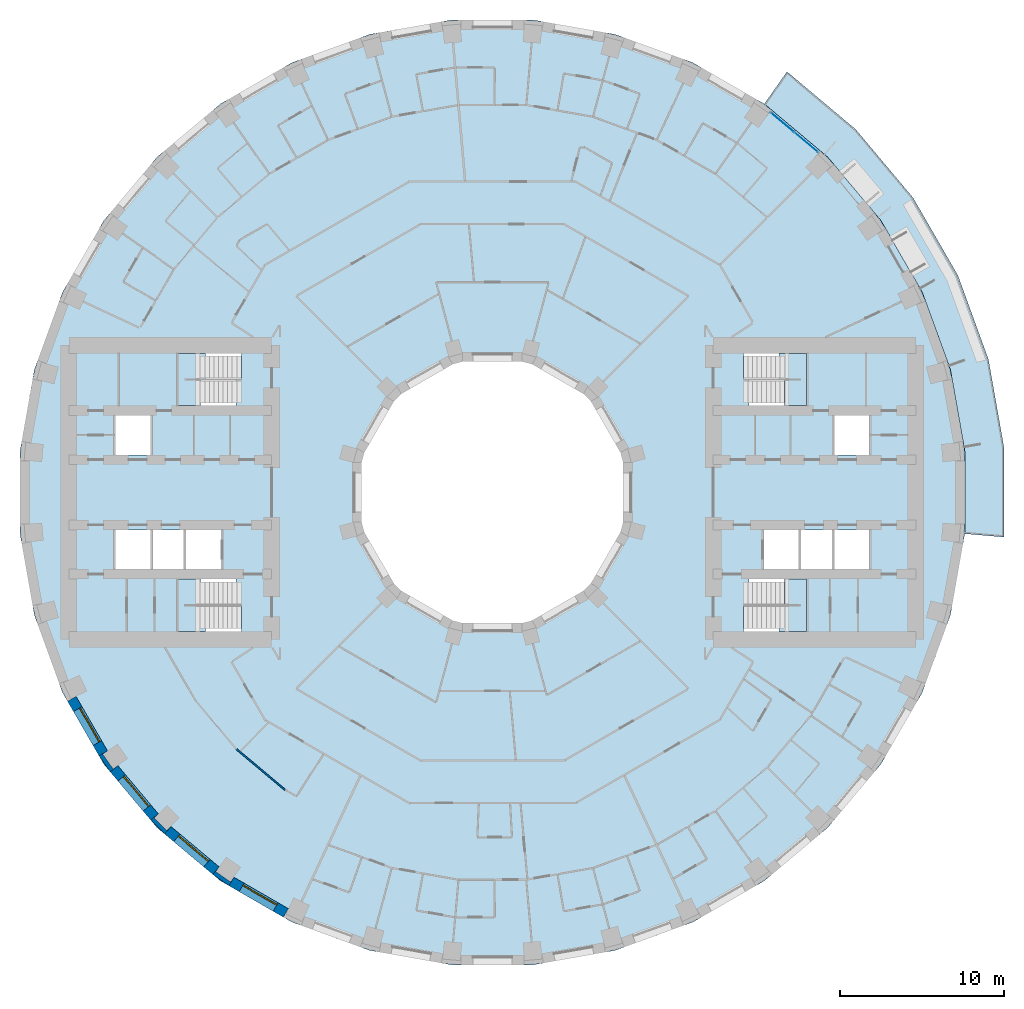
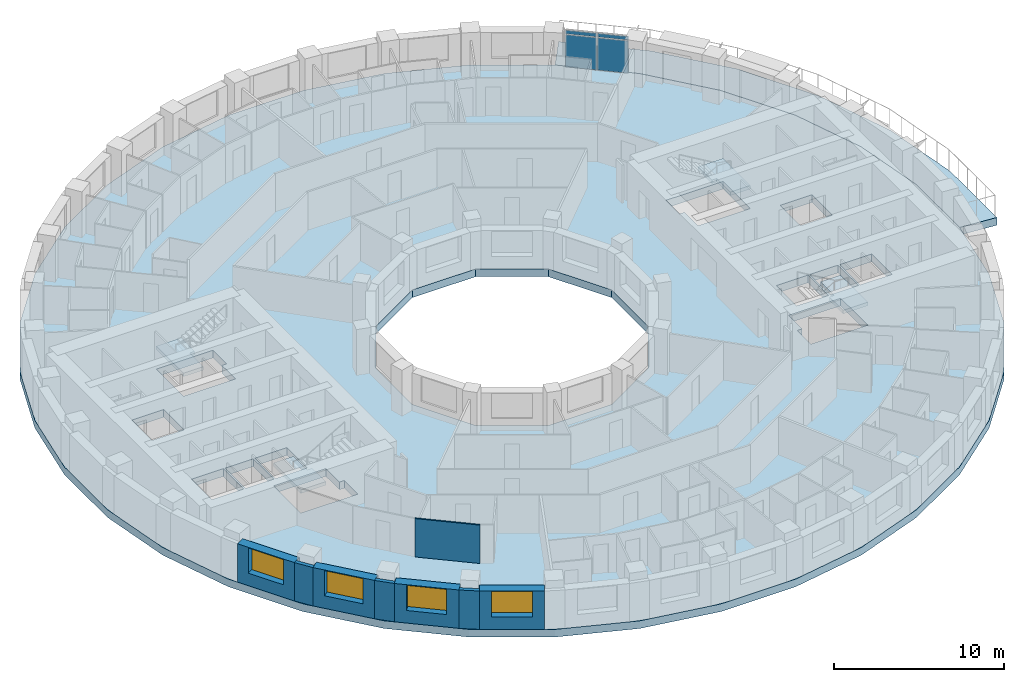
# One storey, part 3 of 15: 8 walls, 6 slabs, 4 plates, 4 windows, 4 openings, 5 elements without a shape of their own.
"""IFC4 building model written with IfcOpenShell, lengths in metres."""

import ifcopenshell
import ifcopenshell.guid

model = None  # the IFC model being written
_history = None  # IfcOwnerHistory: only IFC2X3 demands one
_inside = {}  # id of a spatial element -> (the spatial element, [elements in it])
_under = {}  # id of a project, library or spatial element -> (it, [spatial elements below it])
_declared = {}  # id of a project -> (the project, [libraries it declares])
_typed = {}  # id of a type object -> (the type object, [elements of that type])
_made_of = {}  # id of a material, layer set ... -> (it, [elements and type objects made of it])


def new_model(schema):
    """Start an empty IFC model of exactly this schema.

    Asked for "IFC4X3", IfcOpenShell would pick the latest addendum, in which some entities
    have other attributes; the version numbers below select the first issue.
    IFC2X3 requires an IfcOwnerHistory on every rooted entity: one is made here for all.
    """
    global model, _history
    if schema == "IFC4X3":
        model = ifcopenshell.file(schema_version=(4, 3, 0, 0))
    else:
        model = ifcopenshell.file(schema=schema)
    _inside.clear()
    _under.clear()
    _declared.clear()
    _typed.clear()
    _made_of.clear()
    _history = None
    if model.schema == "IFC2X3":
        org = make("IfcOrganization", Name="unknown")
        user = make(
            "IfcPersonAndOrganization",
            ThePerson=make("IfcPerson", FamilyName="unknown"),
            TheOrganization=org,
        )
        app = make(
            "IfcApplication",
            ApplicationDeveloper=org,
            Version="unknown",
            ApplicationFullName="unknown",
            ApplicationIdentifier="unknown",
        )
        _history = make(
            "IfcOwnerHistory",
            OwningUser=user,
            OwningApplication=app,
            ChangeAction="ADDED",
            CreationDate=0,
        )
    return model


def make(cls, **values):
    """One entity of the class cls with the attributes given. An attribute that is None is left unset."""
    return model.create_entity(
        cls, **{name: value for name, value in values.items() if value is not None}
    )


def rooted(cls, **values):
    """An entity with a GlobalId (a new one), such as an element, a storey or a relation."""
    return make(cls, GlobalId=ifcopenshell.guid.new(), OwnerHistory=_history, **values)


def si_unit(unit_type, name, prefix=None):
    """IfcSIUnit, for example si_unit("LENGTHUNIT", "METRE", prefix="MILLI")."""
    return make("IfcSIUnit", UnitType=unit_type, Prefix=prefix, Name=name)


def assignment(units):
    """IfcUnitAssignment: the units of a project."""
    return None if units is None else make("IfcUnitAssignment", Units=units)


def point(xyz):
    """IfcCartesianPoint."""
    return None if xyz is None else make("IfcCartesianPoint", Coordinates=xyz)


def direction(xyz):
    """IfcDirection."""
    return None if xyz is None else make("IfcDirection", DirectionRatios=xyz)


def frame(location, z_axis=None, x_axis=None):
    """IfcAxis2Placement3D, a coordinate frame: its origin and axes. An axis left out is left unset."""
    return make(
        "IfcAxis2Placement3D",
        Location=point(location),
        Axis=direction(z_axis),
        RefDirection=direction(x_axis),
    )


def frame_2d(location, x_axis=None):
    """IfcAxis2Placement2D, a coordinate frame in the plane: its origin and x axis."""
    return make(
        "IfcAxis2Placement2D", Location=point(location), RefDirection=direction(x_axis)
    )


def origin():
    """The frame at (0, 0, 0) with its axes left unset."""
    return frame((0.0, 0.0, 0.0))


def origin_2d():
    """The frame at (0, 0) in the plane with its x axis left unset."""
    return frame_2d((0.0, 0.0))


def place(relative_to, where):
    """IfcLocalPlacement: puts the frame where relative to a parent placement (None: the world)."""
    return make(
        "IfcLocalPlacement", PlacementRelTo=relative_to, RelativePlacement=where
    )


def context(
    kind, dimensions, precision=None, world=None, true_north=None, identifier=None
):
    """IfcGeometricRepresentationContext, for example the 3D "Model" context."""
    return make(
        "IfcGeometricRepresentationContext",
        ContextIdentifier=identifier,
        ContextType=kind,
        CoordinateSpaceDimension=dimensions,
        Precision=precision,
        WorldCoordinateSystem=world,
        TrueNorth=true_north,
    )


def subcontext(parent, identifier, kind, view, scale=None):
    """IfcGeometricRepresentationSubContext, for example "Body" below "Model"."""
    return make(
        "IfcGeometricRepresentationSubContext",
        ContextIdentifier=identifier,
        ContextType=kind,
        ParentContext=parent,
        TargetScale=scale,
        TargetView=view,
    )


def project(units=None, contexts=None):
    """IfcProject with its units and contexts."""
    return rooted(
        "IfcProject",
        Name="project",
        RepresentationContexts=contexts,
        UnitsInContext=assignment(units),
    )


def spatial(cls, under=None, at=None, **own):
    """A site, building, storey or space (cls), placed at a placement, below another one or the project."""
    s = rooted(cls, ObjectPlacement=at, **own)
    if under is not None:
        _under.setdefault(under.id(), (under, []))[1].append(s)
    return s


def polyline(points):
    """IfcPolyline through the points."""
    return make("IfcPolyline", Points=[point(p) for p in points])


def profile(cls, at=None, kind="AREA", **sizes):
    """A parametric profile (cls). Its sizes go by their IFC names, for example OverallWidth=200.0."""
    return make(cls, ProfileType=kind, Position=at, **sizes)


def rectangle(**sizes):
    """IfcRectangleProfileDef."""
    return profile("IfcRectangleProfileDef", **sizes)


def outline(outer, holes=None, kind="AREA"):
    """IfcArbitraryClosedProfileDef: a profile drawn as a closed curve; with holes, ...WithVoids."""
    if holes is None:
        return make("IfcArbitraryClosedProfileDef", ProfileType=kind, OuterCurve=outer)
    return make(
        "IfcArbitraryProfileDefWithVoids",
        ProfileType=kind,
        OuterCurve=outer,
        InnerCurves=holes,
    )


def extrude(swept, where, along, depth):
    """IfcExtrudedAreaSolid: the profile swept, set in the frame where, extruded along a direction by depth."""
    return make(
        "IfcExtrudedAreaSolid",
        SweptArea=swept,
        Position=where,
        ExtrudedDirection=direction(along),
        Depth=depth,
    )


def shape(context_of_items, identifier, shape_type, items):
    """IfcShapeRepresentation: the items that make up one representation, for example the "Body"."""
    return make(
        "IfcShapeRepresentation",
        ContextOfItems=context_of_items,
        RepresentationIdentifier=identifier,
        RepresentationType=shape_type,
        Items=items,
    )


def material(Name=None, Category=None):
    """IfcMaterial."""
    return make("IfcMaterial", Name=Name, Category=Category)


def layer(
    of_material, thickness, ventilated=None, Name=None, Category=None, Priority=None
):
    """IfcMaterialLayer: one layer of a wall or slab, of a material (None: an air gap)."""
    return make(
        "IfcMaterialLayer",
        Material=of_material,
        LayerThickness=thickness,
        IsVentilated=ventilated,
        Name=Name,
        Category=Category,
        Priority=Priority,
    )


def layer_set(layers, Name=None):
    """IfcMaterialLayerSet."""
    return make("IfcMaterialLayerSet", MaterialLayers=layers, LayerSetName=Name)


def made_of(thing, what):
    """Note that an element or type object is made of a material, layer set ...; save() writes the relation."""
    if what is not None:
        _made_of.setdefault(what.id(), (what, []))[1].append(thing)
    return thing


def type_object(cls, material=None, **own):
    """A type object (cls), such as IfcWallType, which elements share."""
    return made_of(rooted(cls, **own), material)


def element(
    cls,
    number,
    at=None,
    inside=None,
    cuts=None,
    type_object=None,
    material=None,
    context=None,
    identifier="Body",
    shape_type=None,
    held_by="IfcProductDefinitionShape",
    body=None,
    shapes=None,
    **own,
):
    """One element of the class cls, such as IfcWall. Its Tag is "e" and its number.

    at: its placement. inside: the storey or other place that contains it. cuts: it is an
    opening in that element (IfcRelVoidsElement). A single representation is given by context,
    identifier, shape_type and body (its items); several are given by shapes. held_by: the class
    of the entity that holds the representations. save() writes the other relations.
    """
    e = rooted(cls, Tag="e%d" % number, ObjectPlacement=at, **own)
    if body is not None:
        shapes = [shape(context, identifier, shape_type, body)]
    if shapes is not None:
        e.Representation = make(held_by, Representations=shapes)
    if inside is not None:
        _inside.setdefault(inside.id(), (inside, []))[1].append(e)
    if cuts is not None:
        rooted(
            "IfcRelVoidsElement", RelatingBuildingElement=cuts, RelatedOpeningElement=e
        )
    if type_object is not None:
        _typed.setdefault(type_object.id(), (type_object, []))[1].append(e)
    return made_of(e, material)


def fill(opening, filler):
    """IfcRelFillsElement: the door or window that sits in an opening."""
    return rooted(
        "IfcRelFillsElement",
        RelatingOpeningElement=opening,
        RelatedBuildingElement=filler,
    )


def aggregate(whole, parts):
    """IfcRelAggregates: a whole, such as a stair, and the parts it consists of."""
    return rooted("IfcRelAggregates", RelatingObject=whole, RelatedObjects=parts)


def save(model, path):
    """Write the relations noted so far, then the file.

    IfcRelAggregates (storeys below a building ...), IfcRelContainedInSpatialStructure (elements
    in a storey), IfcRelDefinesByType, IfcRelAssociatesMaterial and IfcRelDeclares: one each for
    every whole, place, type object, material and project.
    """
    for whole, parts in _under.values():
        aggregate(whole, parts)
    for where, things in _inside.values():
        rooted(
            "IfcRelContainedInSpatialStructure",
            RelatedElements=things,
            RelatingStructure=where,
        )
    for kind, things in _typed.values():
        rooted("IfcRelDefinesByType", RelatedObjects=things, RelatingType=kind)
    for what, things in _made_of.values():
        rooted("IfcRelAssociatesMaterial", RelatedObjects=things, RelatingMaterial=what)
    for by, libraries in _declared.values():
        rooted("IfcRelDeclares", RelatingContext=by, RelatedDefinitions=libraries)
    model.write(path)


model = new_model("IFC4")

# Units and contexts
model_context = context("Model", 3, precision=1e-05, world=origin(), true_north=direction((0.0, 1.0)))
body_context = subcontext(model_context, "Body", "Model", "MODEL_VIEW")
ifc_project = project(units=[si_unit("LENGTHUNIT", "METRE"), si_unit("AREAUNIT", "SQUARE_METRE"), si_unit("VOLUMEUNIT", "CUBIC_METRE"), si_unit("PLANEANGLEUNIT", "RADIAN"), si_unit("MASSUNIT", "GRAM", prefix="KILO")], contexts=[model_context])

# Site, building, storey
site_placement = place(None, origin())
site = spatial("IfcSite", under=ifc_project, at=site_placement, CompositionType="ELEMENT")
building_placement = place(site_placement, origin())
building = spatial("IfcBuilding", under=site, at=building_placement, Name="Saqina Gate Tower", CompositionType="ELEMENT")
storey_placement = place(building_placement, frame((0.0, 0.0, 56.0)))
storey = spatial("IfcBuildingStorey", under=building, at=storey_placement, Name="L15", CompositionType="ELEMENT", Elevation=56.0)

# Curtain wall, plates
ifc_material_1 = material(Name="Aluminium glazing", Category="aluminium")
ifc_layer_1 = layer(ifc_material_1, 0.159912109375)
ifc_layer_set_1 = layer_set([ifc_layer_1], Name="CWT-4")
curtain_wall_type = type_object("IfcCurtainWallType", Name="CWT-4", PredefinedType="NOTDEFINED", material=ifc_layer_set_1)
curtain_wall_placement = place(storey_placement, origin())
curtain_wall = element("IfcCurtainWall", 1, at=curtain_wall_placement, inside=storey, type_object=curtain_wall_type, Name="Terrace lounge glazing facet 5", PredefinedType="NOTDEFINED")
ifc_material_2 = material(Name="Glass", Category="glass")
ifc_layer_2 = layer(ifc_material_2, 0.028076171875)
ifc_layer_set_2 = layer_set([ifc_layer_2], Name="CWT-4P")
plate_type = type_object("IfcPlateType", Name="CWT-4P", PredefinedType="CURTAIN_PANEL", material=ifc_layer_set_2)
plate_1_placement = place(storey_placement, frame((19.198486328125, 21.407470703125, 0.06005859375), z_axis=(0.0, 0.0, 1.0), x_axis=(-0.766040784332, 0.642791970033, 0.0)))
plate_1 = element("IfcPlate", 2, at=plate_1_placement, type_object=plate_type, Name="CW4-05 panel 1.1", PredefinedType="CURTAIN_PANEL", context=body_context, shape_type="SweptSolid", body=[
    extrude(rectangle(XDim=1.8330078125, YDim=0.028076171875, at=origin_2d()), origin(), (0.0, 0.0, 1.0), 2.31005859375),
])
plate_2_placement = place(storey_placement, frame((19.198486328125, 21.407470703125, 2.43017578125), z_axis=(0.0, 0.0, 1.0), x_axis=(-0.766040784332, 0.642791970033, 0.0)))
plate_2 = element("IfcPlate", 3, at=plate_2_placement, type_object=plate_type, Name="CW4-05 panel 1.2", PredefinedType="CURTAIN_PANEL", context=body_context, shape_type="SweptSolid", body=[
    extrude(rectangle(XDim=1.8330078125, YDim=0.028076171875, at=origin_2d()), origin(), (0.0, 0.0, 1.0), 0.260009765625),
])
plate_3_placement = place(storey_placement, frame((17.74853515625, 22.624267578125, 0.06005859375), z_axis=(0.0, 0.0, 1.0), x_axis=(-0.766040784332, 0.642791970033, 0.0)))
plate_3 = element("IfcPlate", 4, at=plate_3_placement, type_object=plate_type, Name="CW4-05 panel 2.1", PredefinedType="CURTAIN_PANEL", context=body_context, shape_type="SweptSolid", body=[
    extrude(rectangle(XDim=1.8330078125, YDim=0.028076171875, at=origin_2d()), origin(), (0.0, 0.0, 1.0), 2.31005859375),
])
plate_4_placement = place(storey_placement, frame((17.74853515625, 22.624267578125, 2.43017578125), z_axis=(0.0, 0.0, 1.0), x_axis=(-0.766040784332, 0.642791970033, 0.0)))
plate_4 = element("IfcPlate", 5, at=plate_4_placement, type_object=plate_type, Name="CW4-05 panel 2.2", PredefinedType="CURTAIN_PANEL", context=body_context, shape_type="SweptSolid", body=[
    extrude(rectangle(XDim=1.8330078125, YDim=0.028076171875, at=origin_2d()), origin(), (0.0, 0.0, 1.0), 0.260009765625),
])
aggregate(curtain_wall, [plate_1, plate_2, plate_3, plate_4])

# Stair, slab
ifc_material_3 = material(Name="Concrete C40/50", Category="concrete")
stair_type = type_object("IfcStairType", Name="EXIT STAIR", PredefinedType="HALF_TURN_STAIR", material=ifc_material_3)
stair_1_placement = place(storey_placement, origin())
stair_1 = element("IfcStair", 6, at=stair_1_placement, inside=storey, type_object=stair_type, Name="EXIT STAIR 1", PredefinedType="HALF_TURN_STAIR")
ifc_material_4 = material(Name="Concrete C40/50", Category="concrete")
ifc_layer_3 = layer(ifc_material_4, 0.25)
ifc_layer_set_3 = layer_set([ifc_layer_3], Name="Concrete C40/50")
slab_type_1 = type_object("IfcSlabType", Name="EXIT STAIR LANDING", PredefinedType="LANDING", material=ifc_layer_set_3)
slab_1_placement = place(storey_placement, frame((0.0, 0.0, 1.39990234375)))
slab_1 = element("IfcSlab", 7, at=slab_1_placement, type_object=slab_type_1, Name="EXIT STAIR 1 LANDING 1", PredefinedType="LANDING", context=body_context, shape_type="SweptSolid", body=[
    extrude(outline(polyline([(19.219970703125, 8.5), (19.219970703125, 5.300048828125), (17.864990234375, 5.300048828125), (17.864990234375, 6.89990234375), (17.534423828125, 6.89990234375), (17.534423828125, 8.5), (17.864990234375, 8.5), (17.8701171875, 8.5), (19.219970703125, 8.5)])), origin(), (0.0, 0.0, 1.0), 0.25),
])
aggregate(stair_1, [slab_1])

stair_2_placement = place(storey_placement, origin())
stair_2 = element("IfcStair", 8, at=stair_2_placement, inside=storey, type_object=stair_type, Name="EXIT STAIR 2", PredefinedType="HALF_TURN_STAIR")
slab_2_placement = place(storey_placement, frame((0.0, 0.0, 1.39990234375)))
slab_2 = element("IfcSlab", 9, at=slab_2_placement, type_object=slab_type_1, Name="EXIT STAIR 2 LANDING 1", PredefinedType="LANDING", context=body_context, shape_type="SweptSolid", body=[
    extrude(outline(polyline([(17.534423828125, -8.5), (17.534423828125, -6.89990234375), (17.864990234375, -6.89990234375), (17.864990234375, -5.300048828125), (19.219970703125, -5.300048828125), (19.219970703125, -8.5), (17.8701171875, -8.5), (17.864990234375, -8.5), (17.534423828125, -8.5)])), origin(), (0.0, 0.0, 1.0), 0.25),
])
aggregate(stair_2, [slab_2])

stair_3_placement = place(storey_placement, origin())
stair_3 = element("IfcStair", 10, at=stair_3_placement, inside=storey, type_object=stair_type, Name="EXIT STAIR 3", PredefinedType="HALF_TURN_STAIR")
slab_3_placement = place(storey_placement, frame((0.0, 0.0, 1.39990234375)))
slab_3 = element("IfcSlab", 11, at=slab_3_placement, type_object=slab_type_1, Name="EXIT STAIR 3 LANDING 1", PredefinedType="LANDING", context=body_context, shape_type="SweptSolid", body=[
    extrude(outline(polyline([(-17.864990234375, 5.300048828125), (-19.219970703125, 5.300048828125), (-19.219970703125, 8.5), (-17.8701171875, 8.5), (-17.864990234375, 8.5), (-17.534423828125, 8.5), (-17.534423828125, 6.89990234375), (-17.864990234375, 6.89990234375), (-17.864990234375, 5.300048828125)])), origin(), (0.0, 0.0, 1.0), 0.25),
])
aggregate(stair_3, [slab_3])

stair_4_placement = place(storey_placement, origin())
stair_4 = element("IfcStair", 12, at=stair_4_placement, inside=storey, type_object=stair_type, Name="EXIT STAIR 4", PredefinedType="HALF_TURN_STAIR")
slab_4_placement = place(storey_placement, frame((0.0, 0.0, 1.39990234375)))
slab_4 = element("IfcSlab", 13, at=slab_4_placement, type_object=slab_type_1, Name="EXIT STAIR 4 LANDING 1", PredefinedType="LANDING", context=body_context, shape_type="SweptSolid", body=[
    extrude(outline(polyline([(-17.534423828125, -6.89990234375), (-17.534423828125, -8.5), (-17.864990234375, -8.5), (-17.8701171875, -8.5), (-19.219970703125, -8.5), (-19.219970703125, -5.300048828125), (-17.864990234375, -5.300048828125), (-17.864990234375, -6.89990234375), (-17.534423828125, -6.89990234375)])), origin(), (0.0, 0.0, 1.0), 0.25),
])
aggregate(stair_4, [slab_4])

# Slabs
ifc_material_5 = material(Name="Concrete C40/50", Category="concrete")
ifc_layer_4 = layer(ifc_material_5, 0.550048828125)
ifc_layer_set_4 = layer_set([ifc_layer_4], Name="Concrete C40/50")
slab_type_2 = type_object("IfcSlabType", Name="STR-POST-TENSIONED FLAT PLATE FLOOR-550", PredefinedType="FLOOR", material=ifc_layer_set_4)
slab_5_placement = place(storey_placement, frame((0.0, 0.0, -0.550048828125)))
element("IfcSlab", 14, at=slab_5_placement, inside=storey, type_object=slab_type_2, Name="L15-SLB01", PredefinedType="FLOOR", context=body_context, shape_type="SweptSolid", body=[
    extrude(outline(polyline([(28.011962890625, -7.505859375), (28.8896484375, -2.527587890625), (28.8896484375, 2.527587890625), (28.011962890625, 7.505859375), (26.282958984375, 12.255859375), (23.75537109375, 16.6337890625), (20.506103515625, 20.506103515625), (16.6337890625, 23.75537109375), (12.255859375, 26.282958984375), (7.505859375, 28.011962890625), (2.527587890625, 28.8896484375), (-2.527587890625, 28.8896484375), (-7.505859375, 28.011962890625), (-12.255859375, 26.282958984375), (-16.6337890625, 23.75537109375), (-20.506103515625, 20.506103515625), (-23.75537109375, 16.6337890625), (-26.282958984375, 12.255859375), (-28.011962890625, 7.505859375), (-28.8896484375, 2.527587890625), (-28.8896484375, -2.527587890625), (-28.011962890625, -7.505859375), (-26.282958984375, -12.255859375), (-23.75537109375, -16.6337890625), (-20.506103515625, -20.506103515625), (-16.6337890625, -23.75537109375), (-12.255859375, -26.282958984375), (-7.505859375, -28.011962890625), (-2.527587890625, -28.8896484375), (2.527587890625, -28.8896484375), (7.505859375, -28.011962890625), (12.255859375, -26.282958984375), (16.6337890625, -23.75537109375), (20.506103515625, -20.506103515625), (23.75537109375, -16.6337890625), (26.282958984375, -12.255859375), (28.011962890625, -7.505859375)]), holes=[polyline([(2.1435546875, 8.0), (5.8564453125, 5.8564453125), (8.0, 2.1435546875), (8.0, -2.1435546875), (5.8564453125, -5.8564453125), (2.1435546875, -8.0), (-2.1435546875, -8.0), (-5.8564453125, -5.8564453125), (-8.0, -2.1435546875), (-8.0, 2.1435546875), (-5.8564453125, 5.8564453125), (-2.1435546875, 8.0), (2.1435546875, 8.0)]), polyline([(-19.219970703125, -8.5), (-19.219970703125, -6.89990234375), (-19.219970703125, -5.300048828125), (-15.685546875, -5.300048828125), (-15.685546875, -6.89990234375), (-15.35498046875, -6.89990234375), (-15.35498046875, -8.5), (-19.219970703125, -8.5)]), polyline([(-20.89990234375, -2.300048828125), (-20.89990234375, -4.699951171875), (-23.06005859375, -4.699951171875), (-23.06005859375, -2.300048828125), (-20.89990234375, -2.300048828125)]), polyline([(-18.8701171875, -2.300048828125), (-18.8701171875, -4.699951171875), (-20.780029296875, -4.699951171875), (-20.780029296875, -2.300048828125), (-18.8701171875, -2.300048828125)]), polyline([(-16.590087890625, -2.300048828125), (-16.590087890625, -4.699951171875), (-18.75, -4.699951171875), (-18.75, -2.300048828125), (-16.590087890625, -2.300048828125)]), polyline([(-20.89990234375, 4.699951171875), (-20.89990234375, 2.300048828125), (-23.06005859375, 2.300048828125), (-23.06005859375, 4.699951171875), (-20.89990234375, 4.699951171875)]), polyline([(-19.219970703125, 6.89990234375), (-19.219970703125, 8.5), (-15.35498046875, 8.5), (-15.35498046875, 6.89990234375), (-15.685546875, 6.89990234375), (-15.685546875, 5.300048828125), (-19.219970703125, 5.300048828125), (-19.219970703125, 6.89990234375)]), polyline([(15.35498046875, -6.89990234375), (15.685546875, -6.89990234375), (15.685546875, -5.300048828125), (19.219970703125, -5.300048828125), (19.219970703125, -6.89990234375), (19.219970703125, -8.5), (15.35498046875, -8.5), (15.35498046875, -6.89990234375)]), polyline([(18.75, -2.300048828125), (18.75, -4.699951171875), (16.590087890625, -4.699951171875), (16.590087890625, -2.300048828125), (18.75, -2.300048828125)]), polyline([(20.780029296875, -2.300048828125), (20.780029296875, -4.699951171875), (18.8701171875, -4.699951171875), (18.8701171875, -2.300048828125), (20.780029296875, -2.300048828125)]), polyline([(23.06005859375, -2.300048828125), (23.06005859375, -4.699951171875), (20.89990234375, -4.699951171875), (20.89990234375, -2.300048828125), (23.06005859375, -2.300048828125)]), polyline([(23.06005859375, 4.699951171875), (23.06005859375, 2.300048828125), (20.89990234375, 2.300048828125), (20.89990234375, 4.699951171875), (23.06005859375, 4.699951171875)]), polyline([(15.685546875, 6.89990234375), (15.35498046875, 6.89990234375), (15.35498046875, 8.5), (19.219970703125, 8.5), (19.219970703125, 6.89990234375), (19.219970703125, 5.300048828125), (15.685546875, 5.300048828125), (15.685546875, 6.89990234375)])]), origin(), (0.0, 0.0, 1.0), 0.550048828125),
])
ifc_material_6 = material(Name="Concrete C40/50", Category="concrete")
ifc_layer_5 = layer(ifc_material_6, 0.550048828125)
ifc_layer_set_5 = layer_set([ifc_layer_5], Name="Concrete C40/50")
slab_type_3 = type_object("IfcSlabType", Name="STR-POST-TENSIONED FLAT PLATE TERRACE-550", PredefinedType="FLOOR", material=ifc_layer_set_5)
slab_6_placement = place(storey_placement, frame((0.0, 0.0, -0.550048828125)))
element("IfcSlab", 15, at=slab_6_placement, inside=storey, type_object=slab_type_3, Name="L15-TRS01", PredefinedType="FLOOR", context=body_context, shape_type="SweptSolid", body=[
    extrude(outline(polyline([(28.8896484375, -2.527587890625), (28.8896484375, 2.527587890625), (28.011962890625, 7.505859375), (26.282958984375, 12.255859375), (23.75537109375, 16.6337890625), (20.506103515625, 20.506103515625), (16.6337890625, 23.75537109375), (18.015625, 25.72900390625), (22.209716796875, 22.209716796875), (25.72900390625, 18.015625), (28.46630859375, 13.274169921875), (30.3388671875, 8.12939453125), (31.28955078125, 2.737548828125), (31.28955078125, -2.737548828125), (28.8896484375, -2.527587890625)])), origin(), (0.0, 0.0, 1.0), 0.550048828125),
])

# Walls
ifc_material_7 = material(Name="Brick masonry (red)", Category="masonry")
wall_type_1 = type_object("IfcWallType", Name="BRICK PIER COPING RED", PredefinedType="SOLIDWALL", material=ifc_material_7)
wall_1_placement = place(storey_placement, origin())
element("IfcWall", 16, at=wall_1_placement, inside=storey, type_object=wall_type_1, Name="Pier cap L15 column 22", PredefinedType="SOLIDWALL", context=body_context, shape_type="SweptSolid", body=[
    extrude(outline(polyline([(-24.0576171875, -16.110107421875), (-23.36669921875, -17.096923828125), (-22.9072265625, -16.711181640625), (-23.194091796875, -16.912109375), (-23.8251953125, -16.010986328125), (-23.5380859375, -15.81005859375), (-24.0576171875, -16.110107421875)])), origin(), (0.0, 0.0, 1.0), 2.75),
])
wall_2_placement = place(storey_placement, origin())
element("IfcWall", 17, at=wall_2_placement, inside=storey, type_object=wall_type_1, Name="Pier cap L15 column 23", PredefinedType="SOLIDWALL", context=body_context, shape_type="SweptSolid", body=[
    extrude(outline(polyline([(-20.04296875, -20.894775390625), (-19.6572265625, -20.43505859375), (-19.905029296875, -20.682861328125), (-20.682861328125, -19.905029296875), (-20.43505859375, -19.6572265625), (-20.894775390625, -20.04296875), (-20.04296875, -20.894775390625)])), origin(), (0.0, 0.0, 1.0), 2.75),
])
wall_3_placement = place(storey_placement, origin())
element("IfcWall", 18, at=wall_3_placement, inside=storey, type_object=wall_type_1, Name="Pier cap L15 column 24", PredefinedType="SOLIDWALL", context=body_context, shape_type="SweptSolid", body=[
    extrude(outline(polyline([(-17.096923828125, -23.36669921875), (-16.110107421875, -24.0576171875), (-15.81005859375, -23.5380859375), (-16.010986328125, -23.8251953125), (-16.912109375, -23.194091796875), (-16.711181640625, -22.9072265625), (-17.096923828125, -23.36669921875)])), origin(), (0.0, 0.0, 1.0), 2.75),
])

# Wall, opening, window
ifc_material_8 = material(Name="Brick masonry (red)", Category="masonry")
ifc_layer_6 = layer(ifc_material_8, 0.60009765625)
ifc_layer_set_6 = layer_set([ifc_layer_6], Name="FW-BRICK-RED")
wall_type_2 = type_object("IfcWallType", Name="FW-BRICK-RED", PredefinedType="SOLIDWALL", material=ifc_layer_set_6)
wall_4_placement = place(storey_placement, frame((-25.720703125, -12.629638671875, 0.0), z_axis=(0.0, 0.0, 1.0), x_axis=(0.499989888488, -0.86603124159, 0.0)))
wall_4 = element("IfcWall", 19, at=wall_4_placement, inside=storey, type_object=wall_type_2, Name="Facade wall L15 facet 21", PredefinedType="SOLIDWALL", context=body_context, shape_type="SweptSolid", body=[
    extrude(rectangle(XDim=3.845703125, YDim=0.60009765625, at=frame_2d((1.9228515625, 0.0))), origin(), (0.0, 0.0, 1.0), 2.75),
])
opening_1_placement = place(wall_4_placement, frame((0.722900390625, 0.0, 0.89990234375)))
opening_1 = element("IfcOpeningElement", 20, at=opening_1_placement, cuts=wall_4, Name="Opening G04-W11", PredefinedType="OPENING", context=body_context, shape_type="SweptSolid", body=[
    extrude(rectangle(XDim=2.39990234375, YDim=1.800048828125, at=frame_2d((1.199951171875, 0.89990234375))), frame((0.0, 0.31201171875, 0.0), z_axis=(0.0, -1.0, 0.0), x_axis=(1.0, 0.0, 0.0)), (0.0, 0.0, 1.0), 0.6240234375),
])
ifc_material_9 = material(Name="Aluminium glazing", Category="aluminium")
window_type = type_object("IfcWindowType", Name="WN-A", PartitioningType="SINGLE_PANEL", PredefinedType="WINDOW", material=ifc_material_9)
window_1_placement = place(opening_1_placement, origin())
window_1 = element("IfcWindow", 21, at=window_1_placement, inside=storey, type_object=window_type, Name="Window L15 facet 21", OverallHeight=1.800048828125, OverallWidth=2.39990234375, PartitioningType="SINGLE_PANEL", PredefinedType="WINDOW", context=body_context, shape_type="SweptSolid", body=[
    extrude(rectangle(XDim=2.39990234375, YDim=1.800048828125, at=frame_2d((1.199951171875, 0.89990234375))), frame((0.0, 0.179931640625, 0.0), z_axis=(0.0, -1.0, 0.0), x_axis=(1.0, 0.0, 0.0)), (0.0, 0.0, 1.0), 0.06005859375),
])
fill(opening_1, window_1)

wall_5_placement = place(storey_placement, frame((-23.136962890625, -16.904052734375, 0.0), z_axis=(0.0, 0.0, 1.0), x_axis=(0.642809392687, -0.766026164483, 0.0)))
wall_5 = element("IfcWall", 22, at=wall_5_placement, inside=storey, type_object=wall_type_2, Name="Facade wall L15 facet 22", PredefinedType="SOLIDWALL", context=body_context, shape_type="SweptSolid", body=[
    extrude(rectangle(XDim=3.845947265625, YDim=0.60009765625, at=frame_2d((1.9228515625, 0.0))), origin(), (0.0, 0.0, 1.0), 2.75),
])
opening_2_placement = place(wall_5_placement, frame((0.722900390625, 0.0, 0.89990234375)))
opening_2 = element("IfcOpeningElement", 23, at=opening_2_placement, cuts=wall_5, Name="Opening G04-W12", PredefinedType="OPENING", context=body_context, shape_type="SweptSolid", body=[
    extrude(rectangle(XDim=2.39990234375, YDim=1.800048828125, at=frame_2d((1.199951171875, 0.89990234375))), frame((0.0, 0.31201171875, 0.0), z_axis=(0.0, -1.0, 0.0), x_axis=(1.0, 0.0, 0.0)), (0.0, 0.0, 1.0), 0.6240234375),
])
window_2_placement = place(opening_2_placement, origin())
window_2 = element("IfcWindow", 24, at=window_2_placement, inside=storey, type_object=window_type, Name="Window L15 facet 22", OverallHeight=1.800048828125, OverallWidth=2.39990234375, PartitioningType="SINGLE_PANEL", PredefinedType="WINDOW", context=body_context, shape_type="SweptSolid", body=[
    extrude(rectangle(XDim=2.39990234375, YDim=1.800048828125, at=frame_2d((1.199951171875, 0.89990234375))), frame((0.0, 0.179931640625, 0.0), z_axis=(0.0, -1.0, 0.0), x_axis=(1.0, 0.0, 0.0)), (0.0, 0.0, 1.0), 0.06005859375),
])
fill(opening_2, window_2)

wall_6_placement = place(storey_placement, frame((-19.85009765625, -20.664794921875, 0.0), z_axis=(0.0, 0.0, 1.0), x_axis=(0.766026164483, -0.642809392687, 0.0)))
wall_6 = element("IfcWall", 25, at=wall_6_placement, inside=storey, type_object=wall_type_2, Name="Facade wall L15 facet 23", PredefinedType="SOLIDWALL", context=body_context, shape_type="SweptSolid", body=[
    extrude(rectangle(XDim=3.845947265625, YDim=0.60009765625, at=frame_2d((1.9228515625, 0.0))), origin(), (0.0, 0.0, 1.0), 2.75),
])
opening_3_placement = place(wall_6_placement, frame((0.722900390625, 0.0, 0.89990234375)))
opening_3 = element("IfcOpeningElement", 26, at=opening_3_placement, cuts=wall_6, Name="Opening G04-W13", PredefinedType="OPENING", context=body_context, shape_type="SweptSolid", body=[
    extrude(rectangle(XDim=2.39990234375, YDim=1.800048828125, at=frame_2d((1.199951171875, 0.89990234375))), frame((0.0, 0.31201171875, 0.0), z_axis=(0.0, -1.0, 0.0), x_axis=(1.0, 0.0, 0.0)), (0.0, 0.0, 1.0), 0.6240234375),
])
window_3_placement = place(opening_3_placement, origin())
window_3 = element("IfcWindow", 27, at=window_3_placement, inside=storey, type_object=window_type, Name="Window L15 facet 23", OverallHeight=1.800048828125, OverallWidth=2.39990234375, PartitioningType="SINGLE_PANEL", PredefinedType="WINDOW", context=body_context, shape_type="SweptSolid", body=[
    extrude(rectangle(XDim=2.39990234375, YDim=1.800048828125, at=frame_2d((1.199951171875, 0.89990234375))), frame((0.0, 0.179931640625, 0.0), z_axis=(0.0, -1.0, 0.0), x_axis=(1.0, 0.0, 0.0)), (0.0, 0.0, 1.0), 0.06005859375),
])
fill(opening_3, window_3)

wall_7_placement = place(storey_placement, frame((-15.960205078125, -23.7978515625, 0.0), z_axis=(0.0, 0.0, 1.0), x_axis=(0.86603124159, -0.499989888488, 0.0)))
wall_7 = element("IfcWall", 28, at=wall_7_placement, inside=storey, type_object=wall_type_2, Name="Facade wall L15 facet 24", PredefinedType="SOLIDWALL", context=body_context, shape_type="SweptSolid", body=[
    extrude(rectangle(XDim=3.845703125, YDim=0.60009765625, at=frame_2d((1.9228515625, 0.0))), origin(), (0.0, 0.0, 1.0), 2.75),
])
opening_4_placement = place(wall_7_placement, frame((0.722900390625, 0.0, 0.89990234375)))
opening_4 = element("IfcOpeningElement", 29, at=opening_4_placement, cuts=wall_7, Name="Opening G04-W14", PredefinedType="OPENING", context=body_context, shape_type="SweptSolid", body=[
    extrude(rectangle(XDim=2.39990234375, YDim=1.800048828125, at=frame_2d((1.199951171875, 0.89990234375))), frame((0.0, 0.31201171875, 0.0), z_axis=(0.0, -1.0, 0.0), x_axis=(1.0, 0.0, 0.0)), (0.0, 0.0, 1.0), 0.6240234375),
])
window_4_placement = place(opening_4_placement, origin())
window_4 = element("IfcWindow", 30, at=window_4_placement, inside=storey, type_object=window_type, Name="Window L15 facet 24", OverallHeight=1.800048828125, OverallWidth=2.39990234375, PartitioningType="SINGLE_PANEL", PredefinedType="WINDOW", context=body_context, shape_type="SweptSolid", body=[
    extrude(rectangle(XDim=2.39990234375, YDim=1.800048828125, at=frame_2d((1.199951171875, 0.89990234375))), frame((0.0, 0.179931640625, 0.0), z_axis=(0.0, -1.0, 0.0), x_axis=(1.0, 0.0, 0.0)), (0.0, 0.0, 1.0), 0.06005859375),
])
fill(opening_4, window_4)

# Wall
ifc_material_10 = material(Name="Gypsum board on steel studs, 100 mm", Category="steel")
ifc_layer_7 = layer(ifc_material_10, 0.10009765625)
ifc_layer_set_7 = layer_set([ifc_layer_7], Name="PARTITION 100")
wall_type_3 = type_object("IfcWallType", Name="PARTITION 100", PredefinedType="PARTITIONING", material=ifc_layer_set_7)
wall_8_placement = place(storey_placement, frame((-15.640625, -15.711181640625, 0.0), z_axis=(0.0, 0.0, 1.0), x_axis=(0.765990912009, -0.642851400185, 0.0)))
element("IfcWall", 31, at=wall_8_placement, inside=storey, type_object=wall_type_3, Name="PARTITION PW3-29", PredefinedType="PARTITIONING", context=body_context, shape_type="SweptSolid", body=[
    extrude(rectangle(XDim=3.8662109375, YDim=0.10009765625, at=frame_2d((1.93310546875, 0.0))), origin(), (0.0, 0.0, 1.0), 2.75),
])

save(model, "model.ifc")
